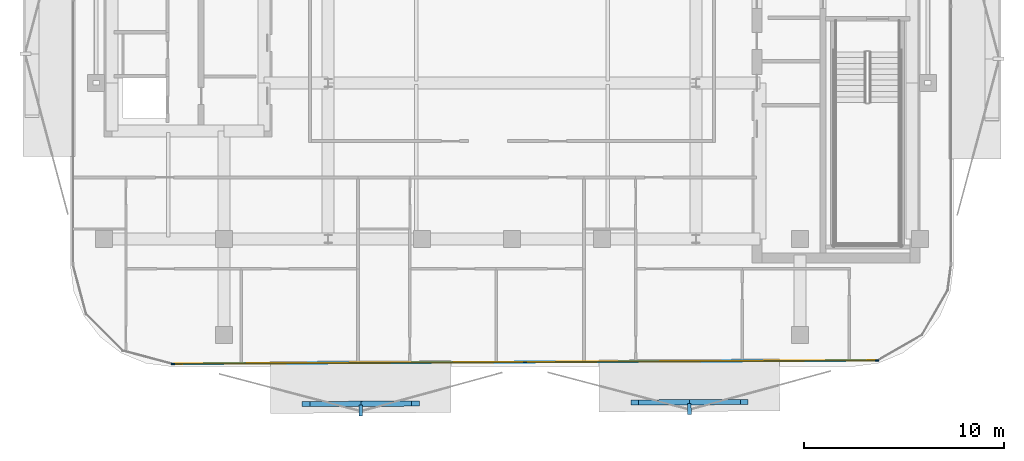
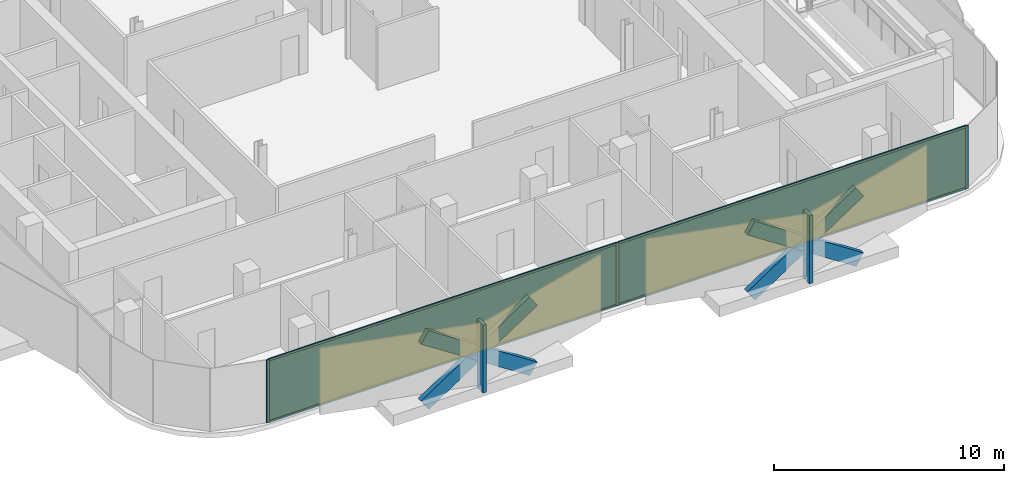
# One storey, part 8 of 16: 13 members, 2 plates, 1 curtain wall.
"""IFC4 building model written with IfcOpenShell, lengths in metres."""

from ifc_helpers import new_model, si_unit, direction, frame, frame_2d, origin, origin_2d, place, context, subcontext, project, spatial, rectangle, extrude, material, layer, layer_set, material_profile, profile_set, type_object, element, aggregate, save


model = new_model("IFC4")

# Units and contexts
model_context = context("Model", 3, precision=1e-05, world=origin(), true_north=direction((0.0, 1.0)))
body_context = subcontext(model_context, "Body", "Model", "MODEL_VIEW")
ifc_project = project(units=[si_unit("LENGTHUNIT", "METRE"), si_unit("AREAUNIT", "SQUARE_METRE"), si_unit("VOLUMEUNIT", "CUBIC_METRE"), si_unit("PLANEANGLEUNIT", "RADIAN"), si_unit("MASSUNIT", "GRAM", prefix="KILO")], contexts=[model_context])

# Member
ifc_material_1 = material(Name="Anodised Bronze Aluminium 6063-T6", Category="aluminium")
ifc_material_profile_1 = material_profile(ifc_material_1, rectangle(XDim=0.260009765625, YDim=0.699951171875, at=origin_2d()))
ifc_profile_set_1 = profile_set([ifc_material_profile_1], Name="Anodised Bronze Aluminium 6063-T6")
member_type_1 = type_object("IfcMemberType", Name="Bronze Diamond Solar-Screen Lattice Rib BDL-700", PredefinedType="MULLION", material=ifc_profile_set_1)
site_placement = place(None, origin())
building_placement = place(site_placement, origin())
storey_placement = place(building_placement, frame((0.0, 0.0, 247.60009765625)))
member_1_placement = place(storey_placement, frame((11.6142578125, -26.761962890625, -0.130126953125), z_axis=(-0.835726065421, -0.004021852556, 0.549131831419), x_axis=(-0.007495814743, 0.999963565539, -0.004084159052)))
member_1 = element("IfcMember", 1, at=member_1_placement, type_object=member_type_1, Name="L58 Bronze Diamond Solar Screen Lattice Rib 393A", PredefinedType="MULLION", context=body_context, shape_type="SweptSolid", body=[
    extrude(rectangle(XDim=0.260009765625, YDim=0.699951171875, at=origin_2d()), origin(), (0.0, 0.0, 1.0), 6.555908203125),
])

member_2_placement = place(storey_placement, frame((6.13525390625, -26.788330078125, -0.130126953125), z_axis=(0.835726065421, 0.004021852556, 0.549131831419), x_axis=(0.007495814743, -0.999963565539, -0.004084159052)))
member_2 = element("IfcMember", 2, at=member_2_placement, type_object=member_type_1, Name="L58 Bronze Diamond Solar Screen Lattice Rib 393B", PredefinedType="MULLION", context=body_context, shape_type="SweptSolid", body=[
    extrude(rectangle(XDim=0.260009765625, YDim=0.699951171875, at=origin_2d()), origin(), (0.0, 0.0, 1.0), 6.555908203125),
])

member_3_placement = place(storey_placement, frame((-4.822998046875, -26.84130859375, -0.130126953125), z_axis=(-0.835726065421, -0.004021852556, 0.549131831419), x_axis=(-0.007495814743, 0.999963565539, -0.004084159052)))
member_3 = element("IfcMember", 3, at=member_3_placement, type_object=member_type_1, Name="L58 Bronze Diamond Solar Screen Lattice Rib 394A", PredefinedType="MULLION", context=body_context, shape_type="SweptSolid", body=[
    extrude(rectangle(XDim=0.260009765625, YDim=0.699951171875, at=origin_2d()), origin(), (0.0, 0.0, 1.0), 6.555908203125),
])

member_4_placement = place(storey_placement, frame((-10.302001953125, -26.86767578125, -0.130126953125), z_axis=(0.835726065421, 0.004021852556, 0.549131831419), x_axis=(0.007495814743, -0.999963565539, -0.004084159052)))
member_4 = element("IfcMember", 4, at=member_4_placement, type_object=member_type_1, Name="L58 Bronze Diamond Solar Screen Lattice Rib 394B", PredefinedType="MULLION", context=body_context, shape_type="SweptSolid", body=[
    extrude(rectangle(XDim=0.260009765625, YDim=0.699951171875, at=origin_2d()), origin(), (0.0, 0.0, 1.0), 6.555908203125),
])

ifc_material_2 = material(Name="Anodised Bronze Aluminium 6063-T6", Category="aluminium")
ifc_material_profile_2 = material_profile(ifc_material_2, rectangle(XDim=0.179931640625, YDim=0.5400390625, at=origin_2d()))
ifc_profile_set_2 = profile_set([ifc_material_profile_2], Name="Anodised Bronze Aluminium 6063-T6")
member_type_2 = type_object("IfcMemberType", Name="Bronze Solar-Screen Vertical Fold Fin BSF-540", PredefinedType="MULLION", material=ifc_profile_set_2)
member_5_placement = place(storey_placement, frame((8.87646484375, -27.115234375, -0.130126953125), z_axis=(0.0, 0.0, 1.0), x_axis=(-0.999988059021, -0.004886902454, 0.0)))
member_5 = element("IfcMember", 5, at=member_5_placement, type_object=member_type_2, Name="L58 Bronze Solar Screen Vertical Fin 393", PredefinedType="MULLION", context=body_context, shape_type="SweptSolid", body=[
    extrude(rectangle(XDim=0.179931640625, YDim=0.5400390625, at=origin_2d()), origin(), (0.0, 0.0, 1.0), 3.60009765625),
])

member_6_placement = place(storey_placement, frame((-7.560791015625, -27.194580078125, -0.130126953125), z_axis=(0.0, 0.0, 1.0), x_axis=(-0.999988059021, -0.004886902454, 0.0)))
member_6 = element("IfcMember", 6, at=member_6_placement, type_object=member_type_2, Name="L58 Bronze Solar Screen Vertical Fin 394", PredefinedType="MULLION", context=body_context, shape_type="SweptSolid", body=[
    extrude(rectangle(XDim=0.179931640625, YDim=0.5400390625, at=origin_2d()), origin(), (0.0, 0.0, 1.0), 3.60009765625),
])

ifc_material_3 = material(Name="Anodised Bronze Aluminium 6063-T6", Category="aluminium")
ifc_material_profile_3 = material_profile(ifc_material_3, rectangle(XDim=0.06005859375, YDim=0.159912109375, at=origin_2d()))
ifc_profile_set_3 = profile_set([ifc_material_profile_3], Name="Anodised Bronze Aluminium 6063-T6")
member_type_3 = type_object("IfcMemberType", Name="CW-Z4 Mullion 60x160", PredefinedType="MULLION", material=ifc_profile_set_3)
member_7_placement = place(storey_placement, frame((18.25341796875, -24.68994140625, 0.0), z_axis=(0.0, 0.0, 1.0), x_axis=(0.004824986425, -0.999988359685, 0.0)))
member_7 = element("IfcMember", 7, at=member_7_placement, type_object=member_type_3, Name="CW-Z4 mullion 1", PredefinedType="MULLION", context=body_context, shape_type="SweptSolid", body=[
    extrude(rectangle(XDim=0.06005859375, YDim=0.159912109375, at=origin_2d()), origin(), (0.0, 0.0, 1.0), 3.33984375),
])

member_8_placement = place(storey_placement, frame((0.646240234375, -24.77490234375, 0.0), z_axis=(0.0, 0.0, 1.0), x_axis=(0.004824986425, -0.999988359685, 0.0)))
member_8 = element("IfcMember", 8, at=member_8_placement, type_object=member_type_3, Name="CW-Z4 mullion 2", PredefinedType="MULLION", context=body_context, shape_type="SweptSolid", body=[
    extrude(rectangle(XDim=0.06005859375, YDim=0.159912109375, at=origin_2d()), origin(), (0.0, 0.0, 1.0), 3.33984375),
])

member_9_placement = place(storey_placement, frame((-16.960693359375, -24.85986328125, 0.0), z_axis=(0.0, 0.0, 1.0), x_axis=(0.004824986425, -0.999988359685, 0.0)))
member_9 = element("IfcMember", 9, at=member_9_placement, type_object=member_type_3, Name="CW-Z4 mullion 3", PredefinedType="MULLION", context=body_context, shape_type="SweptSolid", body=[
    extrude(rectangle(XDim=0.06005859375, YDim=0.159912109375, at=origin_2d()), origin(), (0.0, 0.0, 1.0), 3.33984375),
])

ifc_material_4 = material(Name="Anodised Bronze Aluminium 6063-T6", Category="aluminium")
ifc_material_profile_4 = material_profile(ifc_material_4, rectangle(XDim=0.06005859375, YDim=0.125, at=origin_2d()))
ifc_profile_set_4 = profile_set([ifc_material_profile_4], Name="Anodised Bronze Aluminium 6063-T6")
member_type_4 = type_object("IfcMemberType", Name="CW-Z4 Transom 60x125", PredefinedType="USERDEFINED", material=ifc_profile_set_4)
member_10_placement = place(storey_placement, frame((18.223388671875, -24.690185546875, 0.02978515625), z_axis=(-0.999988412677, -0.004813991218, 0.0), x_axis=(0.004813991218, -0.999988412677, 0.0)))
member_10 = element("IfcMember", 10, at=member_10_placement, type_object=member_type_4, Name="CW-Z4 transom 1.1", ObjectType="TRANSOM", PredefinedType="USERDEFINED", context=body_context, shape_type="SweptSolid", body=[
    extrude(rectangle(XDim=0.06005859375, YDim=0.125, at=origin_2d()), origin(), (0.0, 0.0, 1.0), 17.54736328125),
])

member_11_placement = place(storey_placement, frame((18.223388671875, -24.690185546875, 3.309814453125), z_axis=(-0.999988412677, -0.004813991218, 0.0), x_axis=(0.004813991218, -0.999988412677, 0.0)))
member_11 = element("IfcMember", 11, at=member_11_placement, type_object=member_type_4, Name="CW-Z4 transom 1.2", ObjectType="TRANSOM", PredefinedType="USERDEFINED", context=body_context, shape_type="SweptSolid", body=[
    extrude(rectangle(XDim=0.06005859375, YDim=0.125, at=origin_2d()), origin(), (0.0, 0.0, 1.0), 17.54736328125),
])

member_12_placement = place(storey_placement, frame((0.616455078125, -24.775146484375, 0.02978515625), z_axis=(-0.999988413, -0.004813924241, 0.0), x_axis=(0.004813924241, -0.999988413, 0.0)))
member_12 = element("IfcMember", 12, at=member_12_placement, type_object=member_type_4, Name="CW-Z4 transom 2.1", ObjectType="TRANSOM", PredefinedType="USERDEFINED", context=body_context, shape_type="SweptSolid", body=[
    extrude(rectangle(XDim=0.06005859375, YDim=0.125, at=origin_2d()), origin(), (0.0, 0.0, 1.0), 17.547607421875),
])

member_13_placement = place(storey_placement, frame((0.616455078125, -24.775146484375, 3.309814453125), z_axis=(-0.999988413, -0.004813924241, 0.0), x_axis=(0.004813924241, -0.999988413, 0.0)))
member_13 = element("IfcMember", 13, at=member_13_placement, type_object=member_type_4, Name="CW-Z4 transom 2.2", ObjectType="TRANSOM", PredefinedType="USERDEFINED", context=body_context, shape_type="SweptSolid", body=[
    extrude(rectangle(XDim=0.06005859375, YDim=0.125, at=origin_2d()), origin(), (0.0, 0.0, 1.0), 17.547607421875),
])

# Plate
ifc_material_5 = material(Name="Low-E Solar Control Laminated Glass", Category="glass")
ifc_layer_1 = layer(ifc_material_5, 0.030029296875, Name="Low-E Solar Control Laminated Glass")
ifc_layer_set_1 = layer_set([ifc_layer_1], Name="Low-E Solar Control Laminated Glass")
plate_type = type_object("IfcPlateType", Name="CW-Z4 Low-E Double Glazed Panel 30mm", PredefinedType="CURTAIN_PANEL", material=ifc_layer_set_1)
plate_1_placement = place(storey_placement, frame((9.449951171875, -24.732421875, 0.06005859375), z_axis=(0.0, 0.0, 1.0), x_axis=(-0.999988359685, -0.004824986425, 0.0)))
plate_1 = element("IfcPlate", 14, at=plate_1_placement, type_object=plate_type, Name="CW-Z4 panel 1.1", PredefinedType="CURTAIN_PANEL", context=body_context, shape_type="SweptSolid", body=[
    extrude(rectangle(XDim=17.54736328125, YDim=0.030029296875, at=origin_2d()), origin(), (0.0, 0.0, 1.0), 3.219970703125),
])

plate_2_placement = place(storey_placement, frame((-8.1572265625, -24.8173828125, 0.06005859375), z_axis=(0.0, 0.0, 1.0), x_axis=(-0.999988359685, -0.004824986425, 0.0)))
plate_2 = element("IfcPlate", 15, at=plate_2_placement, type_object=plate_type, Name="CW-Z4 panel 2.1", PredefinedType="CURTAIN_PANEL", context=body_context, shape_type="SweptSolid", body=[
    extrude(rectangle(XDim=17.54736328125, YDim=0.030029296875, at=origin_2d()), origin(), (0.0, 0.0, 1.0), 3.219970703125),
])

# Site, building, storey
site = spatial("IfcSite", under=ifc_project, at=site_placement, CompositionType="ELEMENT")
building = spatial("IfcBuilding", under=site, at=building_placement, Name="Khairoan Windgate Tower", CompositionType="ELEMENT")
storey = spatial("IfcBuildingStorey", under=building, at=storey_placement, Name="L58", CompositionType="ELEMENT", Elevation=247.60009765625)

# Curtain wall
ifc_material_6 = material(Name="Anodised Bronze Aluminium 6063-T6", Category="aluminium")
ifc_layer_2 = layer(ifc_material_6, 0.159912109375, Name="Anodised Bronze Aluminium 6063-T6")
ifc_layer_set_2 = layer_set([ifc_layer_2], Name="Anodised Bronze Aluminium 6063-T6")
curtain_wall_type = type_object("IfcCurtainWallType", Name="Sky Residence Unitised Curtain Wall CW-Z4", PredefinedType="NOTDEFINED", material=ifc_layer_set_2)
curtain_wall_placement = place(storey_placement, frame((18.283447265625, -24.689697265625, 0.0), z_axis=(0.0, 0.0, 1.0), x_axis=(-0.999988330836, -0.004830961808, 0.0)))
curtain_wall = element("IfcCurtainWall", 16, at=curtain_wall_placement, inside=storey, type_object=curtain_wall_type, Name="L58 Unitised Curtain Wall 1", PredefinedType="NOTDEFINED", context=body_context, shape_type="SweptSolid", body=[
    extrude(rectangle(XDim=35.274658203125, YDim=0.010009765625, at=frame_2d((17.63720703125, 0.0))), origin(), (0.0, 0.0, 1.0), 3.33984375),
])

aggregate(curtain_wall, [member_7, member_8, member_9, member_10, member_11, plate_1, member_12, member_13, plate_2, member_1, member_2, member_5, member_3, member_4, member_6])

save(model, "model.ifc")
